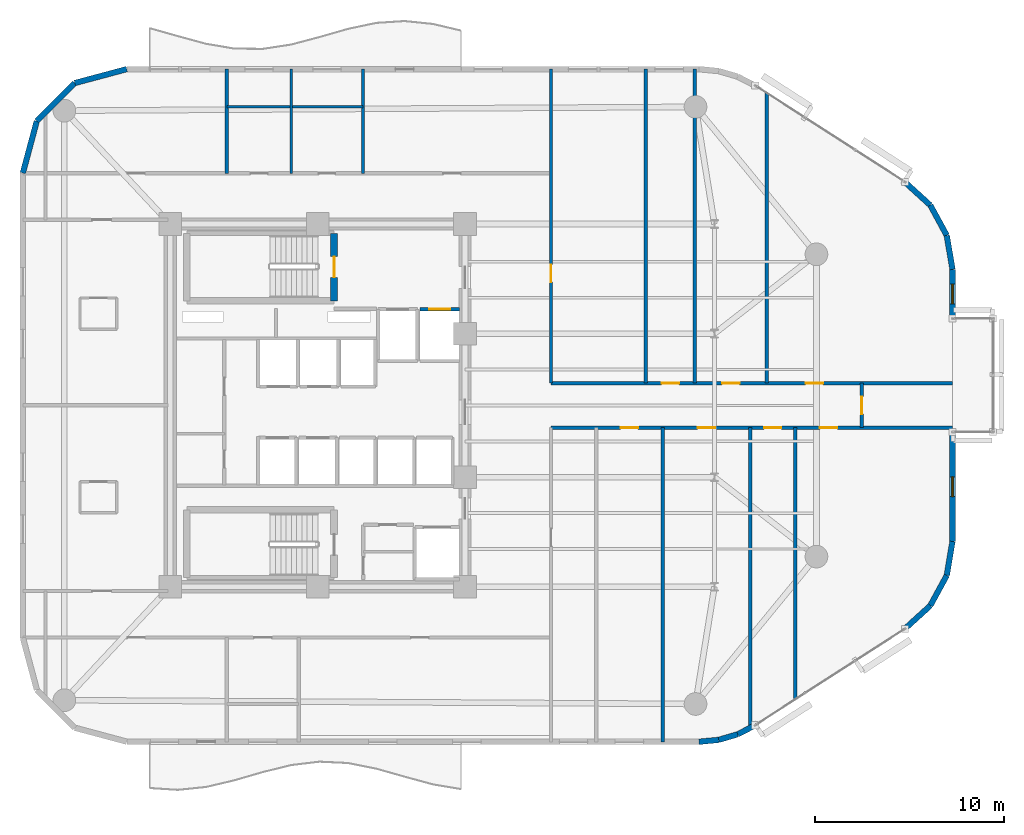
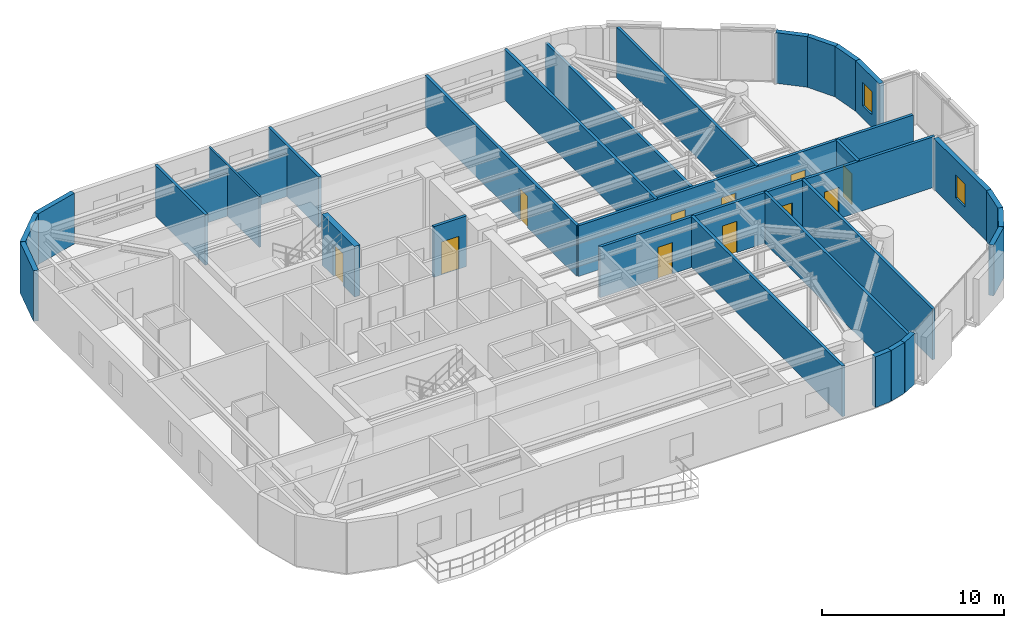
# One storey, part 10 of 13: 30 walls, 11 doors, 2 windows, 13 openings.
"""IFC4 building model written with IfcOpenShell, lengths in metres."""

from ifc_helpers import new_model, si_unit, direction, frame, frame_2d, origin, place, context, subcontext, project, spatial, rectangle, extrude, material, layer, layer_set, type_object, element, fill, save


model = new_model("IFC4")

# Units and contexts
model_context = context("Model", 3, precision=1e-05, world=origin(), true_north=direction((0.0, 1.0)))
body_context = subcontext(model_context, "Body", "Model", "MODEL_VIEW")
ifc_project = project(units=[si_unit("LENGTHUNIT", "METRE"), si_unit("AREAUNIT", "SQUARE_METRE"), si_unit("VOLUMEUNIT", "CUBIC_METRE"), si_unit("PLANEANGLEUNIT", "RADIAN"), si_unit("MASSUNIT", "GRAM", prefix="KILO")], contexts=[model_context])

# Site, building, storey
site_placement = place(None, origin())
site = spatial("IfcSite", under=ifc_project, at=site_placement, CompositionType="ELEMENT")
building_placement = place(site_placement, origin())
building = spatial("IfcBuilding", under=site, at=building_placement, Name="An Khanh Terracotta Commons", CompositionType="ELEMENT")
storey_placement = place(building_placement, frame((0.0, 0.0, 183.39990234375)))
storey = spatial("IfcBuildingStorey", under=building, at=storey_placement, Name="L48", CompositionType="ELEMENT", Elevation=183.39990234375)

# Wall, opening, door
ifc_material_1 = material(Name="Fire-Rated Gypsum Board on Steel Stud", Category="steel")
ifc_layer_1 = layer(ifc_material_1, 0.179931640625, Name="Fire-Rated Gypsum Board on Steel Stud")
ifc_layer_set_1 = layer_set([ifc_layer_1], Name="Fire-Rated Gypsum Board on Steel Stud")
wall_type_1 = type_object("IfcWallType", Name="WALL-CORR-180", PredefinedType="PARTITIONING", material=ifc_layer_set_1)
wall_1_placement = place(storey_placement, frame((34.820068359375, 29.080078125, 0.0), z_axis=(0.0, 0.0, 1.0), x_axis=(1.0, 0.0, 0.0)))
wall_1 = element("IfcWall", 1, at=wall_1_placement, inside=storey, type_object=wall_type_1, Name="L48 Core Wall LSH-L48-FFL-02-N", PredefinedType="PARTITIONING", context=body_context, shape_type="SweptSolid", body=[
    extrude(rectangle(XDim=2.079833984375, YDim=0.179931640625, at=frame_2d((1.0400390625, 0.0))), origin(), (0.0, 0.0, 1.0), 3.400146484375),
])
opening_1_placement = place(wall_1_placement, frame((0.489990234375, 0.0, 0.0)))
opening_1 = element("IfcOpeningElement", 2, at=opening_1_placement, cuts=wall_1, Name="Opening LD-FFL-02-L48", PredefinedType="OPENING", context=body_context, shape_type="SweptSolid", body=[
    extrude(rectangle(XDim=1.10009765625, YDim=2.199951171875, at=frame_2d((0.550048828125, 1.10009765625))), frame((0.0, 0.099853515625, 0.0), z_axis=(0.0, -1.0, 0.0), x_axis=(1.0, 0.0, 0.0)), (0.0, 0.0, 1.0), 0.199951171875),
])
ifc_material_2 = material(Name="Brushed Stainless Steel Fire Landing Door", Category="steel")
door_type_1 = type_object("IfcDoorType", Name="DOOR-LD-FFL-1100", OperationType="NOTDEFINED", PredefinedType="DOOR", material=ifc_material_2)
door_1_placement = place(opening_1_placement, origin())
door_1 = element("IfcDoor", 3, at=door_1_placement, inside=storey, type_object=door_type_1, Name="L48 Lift FFL-02 Sliding Landing Door", OperationType="DOUBLE_DOOR_SLIDING", OverallHeight=2.199951171875, OverallWidth=1.10009765625, PredefinedType="DOOR", context=body_context, shape_type="SweptSolid", body=[
    extrude(rectangle(XDim=1.10009765625, YDim=2.199951171875, at=frame_2d((0.550048828125, 1.10009765625))), frame((0.0, 0.02490234375, 0.0), z_axis=(0.0, -1.0, 0.0), x_axis=(1.0, 0.0, 0.0)), (0.0, 0.0, 1.0), 0.050048828125),
])
fill(opening_1, door_1)

# Wall, openings, doors
wall_2_placement = place(storey_placement, frame((41.75, 22.820068359375, 0.0), z_axis=(0.0, 0.0, 1.0), x_axis=(1.0, 0.0, 0.0)))
wall_2 = element("IfcWall", 4, at=wall_2_placement, inside=storey, type_object=wall_type_1, Name="L48 Interior Partition IW-L48-E004", PredefinedType="PARTITIONING", context=body_context, shape_type="SweptSolid", body=[
    extrude(rectangle(XDim=21.25, YDim=0.179931640625, at=frame_2d((10.625, 0.0))), origin(), (0.0, 0.0, 1.0), 3.400146484375),
])
opening_2_placement = place(wall_2_placement, frame((3.68798828125, 0.0, 0.0)))
opening_2 = element("IfcOpeningElement", 5, at=opening_2_placement, cuts=wall_2, Name="Opening D-RM", PredefinedType="OPENING", context=body_context, shape_type="SweptSolid", body=[
    extrude(rectangle(XDim=0.919921875, YDim=2.10009765625, at=frame_2d((0.4599609375, 1.050048828125))), frame((0.0, 0.099853515625, 0.0), z_axis=(0.0, -1.0, 0.0), x_axis=(1.0, 0.0, 0.0)), (0.0, 0.0, 1.0), 0.199951171875),
])
opening_3_placement = place(wall_2_placement, frame((7.764892578125, 0.0, 0.0)))
opening_3 = element("IfcOpeningElement", 6, at=opening_3_placement, cuts=wall_2, Name="Opening D-RM", PredefinedType="OPENING", context=body_context, shape_type="SweptSolid", body=[
    extrude(rectangle(XDim=0.919921875, YDim=2.10009765625, at=frame_2d((0.4599609375, 1.050048828125))), frame((0.0, 0.099853515625, 0.0), z_axis=(0.0, -1.0, 0.0), x_axis=(1.0, 0.0, 0.0)), (0.0, 0.0, 1.0), 0.199951171875),
])
opening_4_placement = place(wall_2_placement, frame((11.280029296875, 0.0, 0.0)))
opening_4 = element("IfcOpeningElement", 7, at=opening_4_placement, cuts=wall_2, Name="Opening D-RM", PredefinedType="OPENING", context=body_context, shape_type="SweptSolid", body=[
    extrude(rectangle(XDim=0.919921875, YDim=2.10009765625, at=frame_2d((0.4599609375, 1.050048828125))), frame((0.0, 0.099853515625, 0.0), z_axis=(0.0, -1.0, 0.0), x_axis=(1.0, 0.0, 0.0)), (0.0, 0.0, 1.0), 0.199951171875),
])
opening_5_placement = place(wall_2_placement, frame((14.23291015625, 0.0, 0.0)))
opening_5 = element("IfcOpeningElement", 8, at=opening_5_placement, cuts=wall_2, Name="Opening D-RM", PredefinedType="OPENING", context=body_context, shape_type="SweptSolid", body=[
    extrude(rectangle(XDim=0.919921875, YDim=2.10009765625, at=frame_2d((0.4599609375, 1.050048828125))), frame((0.0, 0.099853515625, 0.0), z_axis=(0.0, -1.0, 0.0), x_axis=(1.0, 0.0, 0.0)), (0.0, 0.0, 1.0), 0.199951171875),
])
ifc_material_3 = material(Name="Engineered Hardwood Timber Leaf", Category="wood")
door_type_2 = type_object("IfcDoorType", Name="DOOR-INT-920", OperationType="NOTDEFINED", PredefinedType="DOOR", material=ifc_material_3)
door_2_placement = place(opening_2_placement, origin())
door_2 = element("IfcDoor", 9, at=door_2_placement, inside=storey, type_object=door_type_2, Name="L48 SB2 Boardroom Meeting Room Door", OperationType="SINGLE_SWING_LEFT", OverallHeight=2.10009765625, OverallWidth=0.919921875, PredefinedType="DOOR", context=body_context, shape_type="SweptSolid", body=[
    extrude(rectangle(XDim=0.919921875, YDim=2.10009765625, at=frame_2d((0.4599609375, 1.050048828125))), frame((0.0, 0.02490234375, 0.0), z_axis=(0.0, -1.0, 0.0), x_axis=(1.0, 0.0, 0.0)), (0.0, 0.0, 1.0), 0.050048828125),
])
fill(opening_2, door_2)
door_3_placement = place(opening_3_placement, origin())
door_3 = element("IfcDoor", 10, at=door_3_placement, inside=storey, type_object=door_type_2, Name="L48 SB3 Research Study Office Door", OperationType="SINGLE_SWING_RIGHT", OverallHeight=2.10009765625, OverallWidth=0.919921875, PredefinedType="DOOR", context=body_context, shape_type="SweptSolid", body=[
    extrude(rectangle(XDim=0.919921875, YDim=2.10009765625, at=frame_2d((0.4599609375, 1.050048828125))), frame((0.0, 0.02490234375, 0.0), z_axis=(0.0, -1.0, 0.0), x_axis=(1.0, 0.0, 0.0)), (0.0, 0.0, 1.0), 0.050048828125),
])
fill(opening_3, door_3)
door_4_placement = place(opening_4_placement, origin())
door_4 = element("IfcDoor", 11, at=door_4_placement, inside=storey, type_object=door_type_2, Name="L48 SB4 Boardroom Meeting Room Door", OperationType="SINGLE_SWING_LEFT", OverallHeight=2.10009765625, OverallWidth=0.919921875, PredefinedType="DOOR", context=body_context, shape_type="SweptSolid", body=[
    extrude(rectangle(XDim=0.919921875, YDim=2.10009765625, at=frame_2d((0.4599609375, 1.050048828125))), frame((0.0, 0.02490234375, 0.0), z_axis=(0.0, -1.0, 0.0), x_axis=(1.0, 0.0, 0.0)), (0.0, 0.0, 1.0), 0.050048828125),
])
fill(opening_4, door_4)
door_5_placement = place(opening_5_placement, origin())
door_5 = element("IfcDoor", 12, at=door_5_placement, inside=storey, type_object=door_type_2, Name="L48 SB5 Research Study Office Door", OperationType="SINGLE_SWING_RIGHT", OverallHeight=2.10009765625, OverallWidth=0.919921875, PredefinedType="DOOR", context=body_context, shape_type="SweptSolid", body=[
    extrude(rectangle(XDim=0.919921875, YDim=2.10009765625, at=frame_2d((0.4599609375, 1.050048828125))), frame((0.0, 0.02490234375, 0.0), z_axis=(0.0, -1.0, 0.0), x_axis=(1.0, 0.0, 0.0)), (0.0, 0.0, 1.0), 0.050048828125),
])
fill(opening_5, door_5)

wall_3_placement = place(storey_placement, frame((41.75, 25.179931640625, 0.0), z_axis=(0.0, 0.0, 1.0), x_axis=(1.0, 0.0, 0.0)))
wall_3 = element("IfcWall", 13, at=wall_3_placement, inside=storey, type_object=wall_type_1, Name="L48 Interior Partition IW-L48-E006", PredefinedType="PARTITIONING", context=body_context, shape_type="SweptSolid", body=[
    extrude(rectangle(XDim=21.25, YDim=0.179931640625, at=frame_2d((10.625, 0.0))), origin(), (0.0, 0.0, 1.0), 3.400146484375),
])
opening_6_placement = place(wall_3_placement, frame((5.861083984375, 0.0, 0.0)))
opening_6 = element("IfcOpeningElement", 14, at=opening_6_placement, cuts=wall_3, Name="Opening D-RM", PredefinedType="OPENING", context=body_context, shape_type="SweptSolid", body=[
    extrude(rectangle(XDim=0.919921875, YDim=2.10009765625, at=frame_2d((0.4599609375, 1.050048828125))), frame((0.0, 0.099853515625, 0.0), z_axis=(0.0, -1.0, 0.0), x_axis=(1.0, 0.0, 0.0)), (0.0, 0.0, 1.0), 0.199951171875),
])
opening_7_placement = place(wall_3_placement, frame((9.06005859375, 0.0, 0.0)))
opening_7 = element("IfcOpeningElement", 15, at=opening_7_placement, cuts=wall_3, Name="Opening D-RM", PredefinedType="OPENING", context=body_context, shape_type="SweptSolid", body=[
    extrude(rectangle(XDim=0.919921875, YDim=2.10009765625, at=frame_2d((0.4599609375, 1.050048828125))), frame((0.0, 0.099853515625, 0.0), z_axis=(0.0, -1.0, 0.0), x_axis=(1.0, 0.0, 0.0)), (0.0, 0.0, 1.0), 0.199951171875),
])
opening_8_placement = place(wall_3_placement, frame((13.47705078125, 0.0, 0.0)))
opening_8 = element("IfcOpeningElement", 16, at=opening_8_placement, cuts=wall_3, Name="Opening D-RM", PredefinedType="OPENING", context=body_context, shape_type="SweptSolid", body=[
    extrude(rectangle(XDim=0.919921875, YDim=2.10009765625, at=frame_2d((0.4599609375, 1.050048828125))), frame((0.0, 0.099853515625, 0.0), z_axis=(0.0, -1.0, 0.0), x_axis=(1.0, 0.0, 0.0)), (0.0, 0.0, 1.0), 0.199951171875),
])
door_6_placement = place(opening_6_placement, origin())
door_6 = element("IfcDoor", 17, at=door_6_placement, inside=storey, type_object=door_type_2, Name="L48 NB2 Research Study Office Door", OperationType="SINGLE_SWING_LEFT", OverallHeight=2.10009765625, OverallWidth=0.919921875, PredefinedType="DOOR", context=body_context, shape_type="SweptSolid", body=[
    extrude(rectangle(XDim=0.919921875, YDim=2.10009765625, at=frame_2d((0.4599609375, 1.050048828125))), frame((0.0, 0.02490234375, 0.0), z_axis=(0.0, -1.0, 0.0), x_axis=(1.0, 0.0, 0.0)), (0.0, 0.0, 1.0), 0.050048828125),
])
fill(opening_6, door_6)
door_7_placement = place(opening_7_placement, origin())
door_7 = element("IfcDoor", 18, at=door_7_placement, inside=storey, type_object=door_type_2, Name="L48 NB3 Research Study Office Door", OperationType="SINGLE_SWING_RIGHT", OverallHeight=2.10009765625, OverallWidth=0.919921875, PredefinedType="DOOR", context=body_context, shape_type="SweptSolid", body=[
    extrude(rectangle(XDim=0.919921875, YDim=2.10009765625, at=frame_2d((0.4599609375, 1.050048828125))), frame((0.0, 0.02490234375, 0.0), z_axis=(0.0, -1.0, 0.0), x_axis=(1.0, 0.0, 0.0)), (0.0, 0.0, 1.0), 0.050048828125),
])
fill(opening_7, door_7)
door_8_placement = place(opening_8_placement, origin())
door_8 = element("IfcDoor", 19, at=door_8_placement, inside=storey, type_object=door_type_2, Name="L48 NB4 Research Study Office Door", OperationType="SINGLE_SWING_LEFT", OverallHeight=2.10009765625, OverallWidth=0.919921875, PredefinedType="DOOR", context=body_context, shape_type="SweptSolid", body=[
    extrude(rectangle(XDim=0.919921875, YDim=2.10009765625, at=frame_2d((0.4599609375, 1.050048828125))), frame((0.0, 0.02490234375, 0.0), z_axis=(0.0, -1.0, 0.0), x_axis=(1.0, 0.0, 0.0)), (0.0, 0.0, 1.0), 0.050048828125),
])
fill(opening_8, door_8)

# Walls
for number, where, z_axis, x_axis, name in (
    (20, (24.60009765625, 36.280029296875, 0.0), (0.0, 0.0, 1.0), (0.0, 1.0, 0.0), "L48 Interior Partition IW-L48-E013"),
    (21, (31.800048828125, 36.280029296875, 0.0), (0.0, 0.0, 1.0), (0.0, 1.0, 0.0), "L48 Interior Partition IW-L48-E016"),
):
    element("IfcWall", number, at=place(storey_placement, frame(where, z_axis=z_axis, x_axis=x_axis)), inside=storey, type_object=wall_type_1, Name=name, PredefinedType="PARTITIONING", context=body_context, shape_type="SweptSolid", body=[
        extrude(rectangle(XDim=5.52001953125, YDim=0.179931640625, at=frame_2d((2.760009765625, 0.0))), origin(), (0.0, 0.0, 1.0), 3.400146484375),
    ])

# Wall, opening, door
wall_4_placement = place(storey_placement, frame((41.75, 25.179931640625, 0.0), z_axis=(0.0, 0.0, 1.0), x_axis=(0.0, 1.0, 0.0)))
wall_4 = element("IfcWall", 22, at=wall_4_placement, inside=storey, type_object=wall_type_1, Name="L48 Interior Partition IW-L48-E018", PredefinedType="PARTITIONING", context=body_context, shape_type="SweptSolid", body=[
    extrude(rectangle(XDim=16.6201171875, YDim=0.179931640625, at=frame_2d((8.31005859375, 0.0))), origin(), (0.0, 0.0, 1.0), 3.400146484375),
])
opening_9_placement = place(wall_4_placement, frame((5.35009765625, 0.0, 0.0)))
opening_9 = element("IfcOpeningElement", 23, at=opening_9_placement, cuts=wall_4, Name="Opening D-RM", PredefinedType="OPENING", context=body_context, shape_type="SweptSolid", body=[
    extrude(rectangle(XDim=0.919921875, YDim=2.10009765625, at=frame_2d((0.4599609375, 1.050048828125))), frame((0.0, 0.099853515625, 0.0), z_axis=(0.0, -1.0, 0.0), x_axis=(1.0, 0.0, 0.0)), (0.0, 0.0, 1.0), 0.199951171875),
])
door_9_placement = place(opening_9_placement, origin())
door_9 = element("IfcDoor", 24, at=door_9_placement, inside=storey, type_object=door_type_2, Name="L48 NB1 Research Study Office Door", OperationType="SINGLE_SWING_RIGHT", OverallHeight=2.10009765625, OverallWidth=0.919921875, PredefinedType="DOOR", context=body_context, shape_type="SweptSolid", body=[
    extrude(rectangle(XDim=0.919921875, YDim=2.10009765625, at=frame_2d((0.4599609375, 1.050048828125))), frame((0.0, 0.02490234375, 0.0), z_axis=(0.0, -1.0, 0.0), x_axis=(1.0, 0.0, 0.0)), (0.0, 0.0, 1.0), 0.050048828125),
])
fill(opening_9, door_9)

# Walls
for number, where, z_axis, x_axis, name in (
    (25, (46.77587890625, 25.179931640625, 0.0), (0.0, 0.0, 1.0), (0.0, 1.0, 0.0), "L48 Interior Partition IW-L48-E020"),
    (26, (47.655029296875, 6.199951171875, 0.0), (0.0, 0.0, 1.0), (0.0, 1.0, 0.0), "L48 Interior Partition IW-L48-E021"),
):
    element("IfcWall", number, at=place(storey_placement, frame(where, z_axis=z_axis, x_axis=x_axis)), inside=storey, type_object=wall_type_1, Name=name, PredefinedType="PARTITIONING", context=body_context, shape_type="SweptSolid", body=[
        extrude(rectangle(XDim=16.6201171875, YDim=0.179931640625, at=frame_2d((8.31005859375, 0.0))), origin(), (0.0, 0.0, 1.0), 3.400146484375),
    ])
wall_5_placement = place(storey_placement, frame((49.365966796875, 25.179931640625, 0.0), z_axis=(0.0, 0.0, 1.0), x_axis=(0.0, 1.0, 0.0)))
element("IfcWall", 27, at=wall_5_placement, inside=storey, type_object=wall_type_1, Name="L48 Interior Partition IW-L48-E022", PredefinedType="PARTITIONING", context=body_context, shape_type="SweptSolid", body=[
    extrude(rectangle(XDim=16.6201171875, YDim=0.179931640625, at=frame_2d((8.31005859375, 0.0))), origin(), (0.0, 0.0, 1.0), 2.93212890625),
])
wall_6_placement = place(storey_placement, frame((52.294921875, 6.93896484375, 0.0), z_axis=(0.0, 0.0, 1.0), x_axis=(0.0, 1.0, 0.0)))
element("IfcWall", 28, at=wall_6_placement, inside=storey, type_object=wall_type_1, Name="L48 Interior Partition IW-L48-E023", PredefinedType="PARTITIONING", context=body_context, shape_type="SweptSolid", body=[
    extrude(rectangle(XDim=15.881103515625, YDim=0.179931640625, at=frame_2d((7.9404296875, 0.0))), origin(), (0.0, 0.0, 1.0), 3.400146484375),
])
wall_7_placement = place(storey_placement, frame((53.174072265625, 25.179931640625, 0.0), z_axis=(0.0, 0.0, 1.0), x_axis=(0.0, 1.0, 0.0)))
element("IfcWall", 29, at=wall_7_placement, inside=storey, type_object=wall_type_1, Name="L48 Interior Partition IW-L48-E024", PredefinedType="PARTITIONING", context=body_context, shape_type="SweptSolid", body=[
    extrude(rectangle(XDim=15.34912109375, YDim=0.179931640625, at=frame_2d((7.674560546875, 0.0))), origin(), (0.0, 0.0, 1.0), 3.400146484375),
])
wall_8_placement = place(storey_placement, frame((54.68505859375, 8.445068359375, 0.0), z_axis=(0.0, 0.0, 1.0), x_axis=(0.0, 1.0, 0.0)))
element("IfcWall", 30, at=wall_8_placement, inside=storey, type_object=wall_type_1, Name="L48 Interior Partition IW-L48-E025", PredefinedType="PARTITIONING", context=body_context, shape_type="SweptSolid", body=[
    extrude(rectangle(XDim=14.375, YDim=0.179931640625, at=frame_2d((7.1875, 0.0))), origin(), (0.0, 0.0, 1.0), 3.400146484375),
])

# Wall, opening, door
wall_9_placement = place(storey_placement, frame((58.199951171875, 22.820068359375, 0.0), z_axis=(0.0, 0.0, 1.0), x_axis=(0.0, 1.0, 0.0)))
wall_9 = element("IfcWall", 31, at=wall_9_placement, inside=storey, type_object=wall_type_1, Name="L48 Interior Partition IW-L48-E026", PredefinedType="PARTITIONING", context=body_context, shape_type="SweptSolid", body=[
    extrude(rectangle(XDim=2.35986328125, YDim=0.179931640625, at=frame_2d((1.179931640625, 0.0))), origin(), (0.0, 0.0, 1.0), 3.400146484375),
])
opening_10_placement = place(wall_9_placement, frame((0.719970703125, 0.0, 0.0)))
opening_10 = element("IfcOpeningElement", 32, at=opening_10_placement, cuts=wall_9, Name="Opening D-RM", PredefinedType="OPENING", context=body_context, shape_type="SweptSolid", body=[
    extrude(rectangle(XDim=0.919921875, YDim=2.10009765625, at=frame_2d((0.4599609375, 1.050048828125))), frame((0.0, 0.099853515625, 0.0), z_axis=(0.0, -1.0, 0.0), x_axis=(1.0, 0.0, 0.0)), (0.0, 0.0, 1.0), 0.199951171875),
])
door_10_placement = place(opening_10_placement, origin())
door_10 = element("IfcDoor", 33, at=door_10_placement, inside=storey, type_object=door_type_2, Name="L48 GHE Riverfront Study Office Door", OperationType="SINGLE_SWING_LEFT", OverallHeight=2.10009765625, OverallWidth=0.919921875, PredefinedType="DOOR", context=body_context, shape_type="SweptSolid", body=[
    extrude(rectangle(XDim=0.919921875, YDim=2.10009765625, at=frame_2d((0.4599609375, 1.050048828125))), frame((0.0, 0.02490234375, 0.0), z_axis=(0.0, -1.0, 0.0), x_axis=(1.0, 0.0, 0.0)), (0.0, 0.0, 1.0), 0.050048828125),
])
fill(opening_10, door_10)

# Walls
ifc_material_4 = material(Name="Precast concrete C40/50", Category="concrete")
ifc_layer_2 = layer(ifc_material_4, 0.300048828125, Name="Precast concrete C40/50")
ifc_layer_set_2 = layer_set([ifc_layer_2], Name="Precast concrete C40/50")
wall_type_2 = type_object("IfcWallType", Name="WALL-EXT-300", PredefinedType="SOLIDWALL", material=ifc_layer_set_2)
wall_10_placement = place(storey_placement, frame((49.58203125, 6.199951171875, 0.0), z_axis=(0.0, 0.0, 1.0), x_axis=(0.995426089968, 0.095534807324, 0.0)))
element("IfcWall", 34, at=wall_10_placement, inside=storey, type_object=wall_type_2, Name="L48 Insulated Terracotta Exterior Wall 5", PredefinedType="SOLIDWALL", context=body_context, shape_type="SweptSolid", body=[
    extrude(rectangle(XDim=1.0478515625, YDim=0.300048828125, at=frame_2d((0.52392578125, 0.0))), origin(), (0.0, 0.0, 1.0), 3.400146484375),
])
wall_11_placement = place(storey_placement, frame((50.625, 6.300048828125, 0.0), z_axis=(0.0, 0.0, 1.0), x_axis=(0.959528674476, 0.281610942363, 0.0)))
element("IfcWall", 35, at=wall_11_placement, inside=storey, type_object=wall_type_2, Name="L48 Insulated Terracotta Exterior Wall 6", PredefinedType="SOLIDWALL", context=body_context, shape_type="SweptSolid", body=[
    extrude(rectangle(XDim=1.04736328125, YDim=0.300048828125, at=frame_2d((0.523681640625, 0.0))), origin(), (0.0, 0.0, 1.0), 3.400146484375),
])
wall_12_placement = place(storey_placement, frame((51.6298828125, 6.594970703125, 0.0), z_axis=(0.0, 0.0, 1.0), x_axis=(0.888283247196, 0.459296062198, 0.0)))
element("IfcWall", 36, at=wall_12_placement, inside=storey, type_object=wall_type_2, Name="L48 Insulated Terracotta Exterior Wall 7", PredefinedType="SOLIDWALL", context=body_context, shape_type="SweptSolid", body=[
    extrude(rectangle(XDim=1.047119140625, YDim=0.300048828125, at=frame_2d((0.5234375, 0.0))), origin(), (0.0, 0.0, 1.0), 3.400146484375),
])
wall_13_placement = place(storey_placement, frame((60.47802734375, 12.176025390625, 0.0), z_axis=(0.0, 0.0, 1.0), x_axis=(0.73947929393, 0.673179302897, 0.0)))
element("IfcWall", 37, at=wall_13_placement, inside=storey, type_object=wall_type_2, Name="L48 Insulated Terracotta Exterior Wall 9", PredefinedType="SOLIDWALL", context=body_context, shape_type="SweptSolid", body=[
    extrude(rectangle(XDim=1.82275390625, YDim=0.300048828125, at=frame_2d((0.911376953125, 0.0))), origin(), (0.0, 0.0, 1.0), 3.400146484375),
])
wall_14_placement = place(storey_placement, frame((61.825927734375, 13.403076171875, 0.0), z_axis=(0.0, 0.0, 1.0), x_axis=(0.478608030646, 0.878028674362, 0.0)))
element("IfcWall", 38, at=wall_14_placement, inside=storey, type_object=wall_type_2, Name="L48 Insulated Terracotta Exterior Wall 10", PredefinedType="SOLIDWALL", context=body_context, shape_type="SweptSolid", body=[
    extrude(rectangle(XDim=1.822021484375, YDim=0.300048828125, at=frame_2d((0.9111328125, 0.0))), origin(), (0.0, 0.0, 1.0), 3.400146484375),
])
wall_15_placement = place(storey_placement, frame((62.697998046875, 15.0029296875, 0.0), z_axis=(0.0, 0.0, 1.0), x_axis=(0.165724081207, 0.986172159873, 0.0)))
element("IfcWall", 39, at=wall_15_placement, inside=storey, type_object=wall_type_2, Name="L48 Insulated Terracotta Exterior Wall 11", PredefinedType="SOLIDWALL", context=body_context, shape_type="SweptSolid", body=[
    extrude(rectangle(XDim=1.822265625, YDim=0.300048828125, at=frame_2d((0.9111328125, 0.0))), origin(), (0.0, 0.0, 1.0), 3.400146484375),
])

# Wall, opening, window
wall_16_placement = place(storey_placement, frame((63.0, 16.800048828125, 0.0), z_axis=(0.0, 0.0, 1.0), x_axis=(0.0, 1.0, 0.0)))
wall_16 = element("IfcWall", 40, at=wall_16_placement, inside=storey, type_object=wall_type_2, Name="L48 East Nose Wall South", PredefinedType="SOLIDWALL", context=body_context, shape_type="SweptSolid", body=[
    extrude(rectangle(XDim=5.800048828125, YDim=0.300048828125, at=frame_2d((2.89990234375, 0.0))), origin(), (0.0, 0.0, 1.0), 3.400146484375),
])
opening_11_placement = place(wall_16_placement, frame((2.375, 0.0, 0.85009765625)))
opening_11 = element("IfcOpeningElement", 41, at=opening_11_placement, cuts=wall_16, Name="Opening W-06", PredefinedType="OPENING", context=body_context, shape_type="SweptSolid", body=[
    extrude(rectangle(XDim=1.050048828125, YDim=1.550048828125, at=frame_2d((0.52490234375, 0.77490234375))), frame((0.0, 0.159912109375, 0.0), z_axis=(0.0, -1.0, 0.0), x_axis=(1.0, 0.0, 0.0)), (0.0, 0.0, 1.0), 0.320068359375),
])
ifc_material_5 = material(Name="Thermally Broken Aluminium and Low-E Glass", Category="aluminium")
window_type = type_object("IfcWindowType", Name="WIN-COR-1050x1550", PartitioningType="SINGLE_PANEL", PredefinedType="WINDOW", material=ifc_material_5)
window_1_placement = place(opening_11_placement, origin())
window_1 = element("IfcWindow", 42, at=window_1_placement, inside=storey, type_object=window_type, Name="L48 East Nose South Casement Window", OverallHeight=1.550048828125, OverallWidth=1.050048828125, PartitioningType="SINGLE_PANEL", PredefinedType="WINDOW", context=body_context, shape_type="SweptSolid", body=[
    extrude(rectangle(XDim=1.050048828125, YDim=1.550048828125, at=frame_2d((0.52490234375, 0.77490234375))), frame((0.0, 0.030029296875, 0.0), z_axis=(0.0, -1.0, 0.0), x_axis=(1.0, 0.0, 0.0)), (0.0, 0.0, 1.0), 0.06005859375),
])
fill(opening_11, window_1)

wall_17_placement = place(storey_placement, frame((63.0, 28.60009765625, 0.0), z_axis=(0.0, 0.0, 1.0), x_axis=(0.0, 1.0, 0.0)))
wall_17 = element("IfcWall", 43, at=wall_17_placement, inside=storey, type_object=wall_type_2, Name="L48 East Nose Wall North", PredefinedType="SOLIDWALL", context=body_context, shape_type="SweptSolid", body=[
    extrude(rectangle(XDim=2.599853515625, YDim=0.300048828125, at=frame_2d((1.2998046875, 0.0))), origin(), (0.0, 0.0, 1.0), 3.400146484375),
])
opening_12_placement = place(wall_17_placement, frame((0.77490234375, 0.0, 0.85009765625)))
opening_12 = element("IfcOpeningElement", 44, at=opening_12_placement, cuts=wall_17, Name="Opening W-06", PredefinedType="OPENING", context=body_context, shape_type="SweptSolid", body=[
    extrude(rectangle(XDim=1.050048828125, YDim=1.550048828125, at=frame_2d((0.52490234375, 0.77490234375))), frame((0.0, 0.159912109375, 0.0), z_axis=(0.0, -1.0, 0.0), x_axis=(1.0, 0.0, 0.0)), (0.0, 0.0, 1.0), 0.320068359375),
])
window_2_placement = place(opening_12_placement, origin())
window_2 = element("IfcWindow", 45, at=window_2_placement, inside=storey, type_object=window_type, Name="L48 East Nose North Casement Window", OverallHeight=1.550048828125, OverallWidth=1.050048828125, PartitioningType="SINGLE_PANEL", PredefinedType="WINDOW", context=body_context, shape_type="SweptSolid", body=[
    extrude(rectangle(XDim=1.050048828125, YDim=1.550048828125, at=frame_2d((0.52490234375, 0.77490234375))), frame((0.0, 0.030029296875, 0.0), z_axis=(0.0, -1.0, 0.0), x_axis=(1.0, 0.0, 0.0)), (0.0, 0.0, 1.0), 0.06005859375),
])
fill(opening_12, window_2)

# Walls
wall_18_placement = place(storey_placement, frame((63.0, 31.199951171875, 0.0), z_axis=(0.0, 0.0, 1.0), x_axis=(-0.165724081207, 0.986172159873, 0.0)))
element("IfcWall", 46, at=wall_18_placement, inside=storey, type_object=wall_type_2, Name="L48 Insulated Terracotta Exterior Wall 13", PredefinedType="SOLIDWALL", context=body_context, shape_type="SweptSolid", body=[
    extrude(rectangle(XDim=1.822265625, YDim=0.300048828125, at=frame_2d((0.9111328125, 0.0))), origin(), (0.0, 0.0, 1.0), 3.400146484375),
])
wall_19_placement = place(storey_placement, frame((62.697998046875, 32.9970703125, 0.0), z_axis=(0.0, 0.0, 1.0), x_axis=(-0.478608030646, 0.878028674362, 0.0)))
element("IfcWall", 47, at=wall_19_placement, inside=storey, type_object=wall_type_2, Name="L48 Insulated Terracotta Exterior Wall 14", PredefinedType="SOLIDWALL", context=body_context, shape_type="SweptSolid", body=[
    extrude(rectangle(XDim=1.822021484375, YDim=0.300048828125, at=frame_2d((0.9111328125, 0.0))), origin(), (0.0, 0.0, 1.0), 3.400146484375),
])
wall_20_placement = place(storey_placement, frame((61.825927734375, 34.596923828125, 0.0), z_axis=(0.0, 0.0, 1.0), x_axis=(-0.73947929393, 0.673179302897, 0.0)))
element("IfcWall", 48, at=wall_20_placement, inside=storey, type_object=wall_type_2, Name="L48 Insulated Terracotta Exterior Wall 15", PredefinedType="SOLIDWALL", context=body_context, shape_type="SweptSolid", body=[
    extrude(rectangle(XDim=1.82275390625, YDim=0.300048828125, at=frame_2d((0.911376953125, 0.0))), origin(), (0.0, 0.0, 1.0), 3.400146484375),
])
wall_21_placement = place(storey_placement, frame((19.300048828125, 41.800048828125, 0.0), z_axis=(0.0, 0.0, 1.0), x_axis=(-0.965908238586, -0.258884674387, 0.0)))
element("IfcWall", 49, at=wall_21_placement, inside=storey, type_object=wall_type_2, Name="L48 Insulated Terracotta Exterior Wall 21", PredefinedType="SOLIDWALL", context=body_context, shape_type="SweptSolid", body=[
    extrude(rectangle(XDim=2.84716796875, YDim=0.300048828125, at=frame_2d((1.423583984375, 0.0))), origin(), (0.0, 0.0, 1.0), 3.400146484375),
])
wall_22_placement = place(storey_placement, frame((16.550048828125, 41.06298828125, 0.0), z_axis=(0.0, 0.0, 1.0), x_axis=(-0.707106781187, -0.707106781187, 0.0)))
element("IfcWall", 50, at=wall_22_placement, inside=storey, type_object=wall_type_2, Name="L48 Insulated Terracotta Exterior Wall 22", PredefinedType="SOLIDWALL", context=body_context, shape_type="SweptSolid", body=[
    extrude(rectangle(XDim=2.8466796875, YDim=0.300048828125, at=frame_2d((1.42333984375, 0.0))), origin(), (0.0, 0.0, 1.0), 3.400146484375),
])
wall_23_placement = place(storey_placement, frame((14.537109375, 39.050048828125, 0.0), z_axis=(0.0, 0.0, 1.0), x_axis=(-0.258884674387, -0.965908238586, 0.0)))
element("IfcWall", 51, at=wall_23_placement, inside=storey, type_object=wall_type_2, Name="L48 Insulated Terracotta Exterior Wall 23", PredefinedType="SOLIDWALL", context=body_context, shape_type="SweptSolid", body=[
    extrude(rectangle(XDim=2.84716796875, YDim=0.300048828125, at=frame_2d((1.423583984375, 0.0))), origin(), (0.0, 0.0, 1.0), 3.400146484375),
])

# Wall, opening, door
ifc_material_6 = material(Name="Concrete C50/60", Category="concrete")
ifc_layer_3 = layer(ifc_material_6, 0.35009765625, Name="Concrete C50/60")
ifc_layer_set_3 = layer_set([ifc_layer_3], Name="Concrete C50/60")
wall_type_3 = type_object("IfcWallType", Name="WALL-SHAFT-350", PredefinedType="SOLIDWALL", material=ifc_layer_set_3)
wall_24_placement = place(storey_placement, frame((30.27001953125, 29.530029296875, 0.0), z_axis=(0.0, 0.0, 1.0), x_axis=(0.0, 1.0, 0.0)))
wall_24 = element("IfcWall", 52, at=wall_24_placement, inside=storey, type_object=wall_type_3, Name="L48 Core Wall STW-L48-N-E", PredefinedType="SOLIDWALL", context=body_context, shape_type="SweptSolid", body=[
    extrude(rectangle(XDim=3.580078125, YDim=0.35009765625, at=frame_2d((1.7900390625, 0.0))), origin(), (0.0, 0.0, 1.0), 3.400146484375),
])
opening_13_placement = place(wall_24_placement, frame((1.25, 0.0, 0.0)))
opening_13 = element("IfcOpeningElement", 53, at=opening_13_placement, cuts=wall_24, Name="Opening D-ST", PredefinedType="OPENING", context=body_context, shape_type="SweptSolid", body=[
    extrude(rectangle(XDim=1.10009765625, YDim=2.14990234375, at=frame_2d((0.550048828125, 1.074951171875))), frame((0.0, 0.18505859375, 0.0), z_axis=(0.0, -1.0, 0.0), x_axis=(1.0, 0.0, 0.0)), (0.0, 0.0, 1.0), 0.3701171875),
])
ifc_material_7 = material(Name="Fire-Rated Steel Leaf and Frame", Category="steel")
door_type_3 = type_object("IfcDoorType", Name="DOOR-STAIR-1100", OperationType="NOTDEFINED", PredefinedType="DOOR", material=ifc_material_7)
door_11_placement = place(opening_13_placement, origin())
door_11 = element("IfcDoor", 54, at=door_11_placement, inside=storey, type_object=door_type_3, Name="L48 Stair ST-01 Fire Door", OperationType="SINGLE_SWING_LEFT", OverallHeight=2.14990234375, OverallWidth=1.10009765625, PredefinedType="DOOR", context=body_context, shape_type="SweptSolid", body=[
    extrude(rectangle(XDim=1.10009765625, YDim=2.14990234375, at=frame_2d((0.550048828125, 1.074951171875))), frame((0.0, 0.02490234375, 0.0), z_axis=(0.0, -1.0, 0.0), x_axis=(1.0, 0.0, 0.0)), (0.0, 0.0, 1.0), 0.050048828125),
])
fill(opening_13, door_11)

# Walls
ifc_material_8 = material(Name="Moisture-Resistant Cement Board Partition")
ifc_layer_4 = layer(ifc_material_8, 0.1201171875, Name="Moisture-Resistant Cement Board Partition")
ifc_layer_set_4 = layer_set([ifc_layer_4], Name="Moisture-Resistant Cement Board Partition")
wall_type_4 = type_object("IfcWallType", Name="WALL-WET-120", PredefinedType="PARTITIONING", material=ifc_layer_set_4)
wall_25_placement = place(storey_placement, frame((24.60009765625, 39.800048828125, 0.0), z_axis=(0.0, 0.0, 1.0), x_axis=(1.0, 0.0, 0.0)))
element("IfcWall", 55, at=wall_25_placement, inside=storey, type_object=wall_type_4, Name="L48 Interior Partition IW-L48-E009", PredefinedType="PARTITIONING", context=body_context, shape_type="SweptSolid", body=[
    extrude(rectangle(XDim=7.199951171875, YDim=0.1201171875, at=frame_2d((3.60009765625, 0.0))), origin(), (0.0, 0.0, 1.0), 2.882080078125),
])
wall_26_placement = place(storey_placement, frame((28.0, 36.280029296875, 0.0), z_axis=(0.0, 0.0, 1.0), x_axis=(0.0, 1.0, 0.0)))
element("IfcWall", 56, at=wall_26_placement, inside=storey, type_object=wall_type_4, Name="L48 Interior Partition IW-L48-E014", PredefinedType="PARTITIONING", context=body_context, shape_type="SweptSolid", body=[
    extrude(rectangle(XDim=5.52001953125, YDim=0.1201171875, at=frame_2d((2.760009765625, 0.0))), origin(), (0.0, 0.0, 1.0), 3.400146484375),
])

save(model, "model.ifc")
